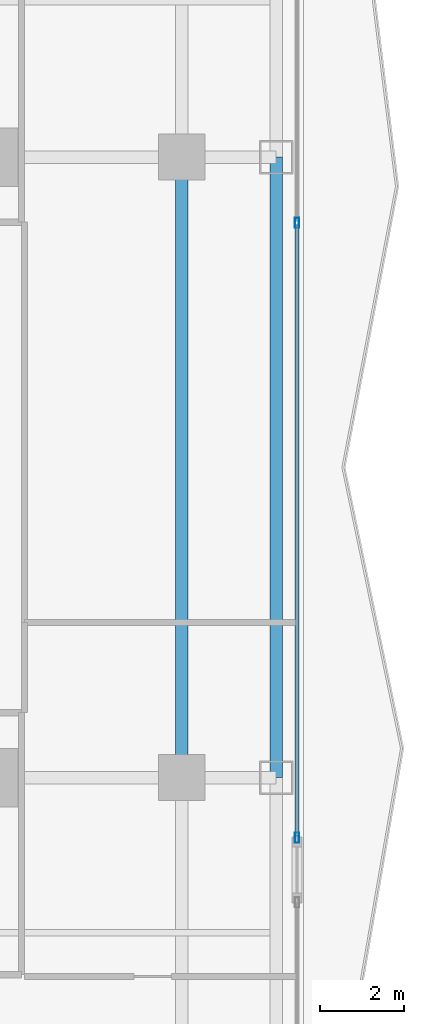
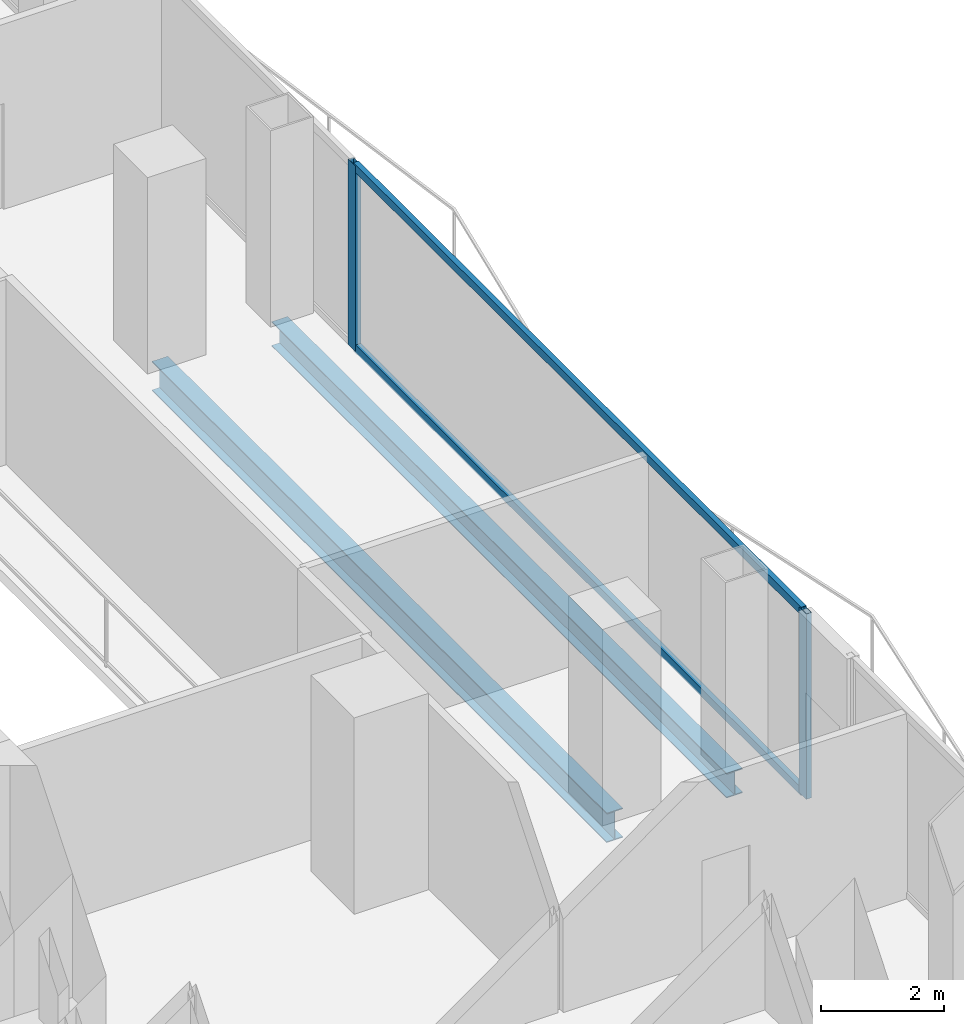
# One storey, part 12 of 29: 4 members, 2 beams, 1 element without a shape of its own.
"""IFC4 building model written with IfcOpenShell, lengths in metres."""

import ifcopenshell
import ifcopenshell.guid

model = None  # the IFC model being written
_history = None  # IfcOwnerHistory: only IFC2X3 demands one
_inside = {}  # id of a spatial element -> (the spatial element, [elements in it])
_under = {}  # id of a project, library or spatial element -> (it, [spatial elements below it])
_declared = {}  # id of a project -> (the project, [libraries it declares])
_typed = {}  # id of a type object -> (the type object, [elements of that type])
_made_of = {}  # id of a material, layer set ... -> (it, [elements and type objects made of it])


def new_model(schema):
    """Start an empty IFC model of exactly this schema.

    Asked for "IFC4X3", IfcOpenShell would pick the latest addendum, in which some entities
    have other attributes; the version numbers below select the first issue.
    IFC2X3 requires an IfcOwnerHistory on every rooted entity: one is made here for all.
    """
    global model, _history
    if schema == "IFC4X3":
        model = ifcopenshell.file(schema_version=(4, 3, 0, 0))
    else:
        model = ifcopenshell.file(schema=schema)
    _inside.clear()
    _under.clear()
    _declared.clear()
    _typed.clear()
    _made_of.clear()
    _history = None
    if model.schema == "IFC2X3":
        org = make("IfcOrganization", Name="unknown")
        user = make(
            "IfcPersonAndOrganization",
            ThePerson=make("IfcPerson", FamilyName="unknown"),
            TheOrganization=org,
        )
        app = make(
            "IfcApplication",
            ApplicationDeveloper=org,
            Version="unknown",
            ApplicationFullName="unknown",
            ApplicationIdentifier="unknown",
        )
        _history = make(
            "IfcOwnerHistory",
            OwningUser=user,
            OwningApplication=app,
            ChangeAction="ADDED",
            CreationDate=0,
        )
    return model


def make(cls, **values):
    """One entity of the class cls with the attributes given. An attribute that is None is left unset."""
    return model.create_entity(
        cls, **{name: value for name, value in values.items() if value is not None}
    )


def rooted(cls, **values):
    """An entity with a GlobalId (a new one), such as an element, a storey or a relation."""
    return make(cls, GlobalId=ifcopenshell.guid.new(), OwnerHistory=_history, **values)


def si_unit(unit_type, name, prefix=None):
    """IfcSIUnit, for example si_unit("LENGTHUNIT", "METRE", prefix="MILLI")."""
    return make("IfcSIUnit", UnitType=unit_type, Prefix=prefix, Name=name)


def assignment(units):
    """IfcUnitAssignment: the units of a project."""
    return None if units is None else make("IfcUnitAssignment", Units=units)


def point(xyz):
    """IfcCartesianPoint."""
    return None if xyz is None else make("IfcCartesianPoint", Coordinates=xyz)


def direction(xyz):
    """IfcDirection."""
    return None if xyz is None else make("IfcDirection", DirectionRatios=xyz)


def frame(location, z_axis=None, x_axis=None):
    """IfcAxis2Placement3D, a coordinate frame: its origin and axes. An axis left out is left unset."""
    return make(
        "IfcAxis2Placement3D",
        Location=point(location),
        Axis=direction(z_axis),
        RefDirection=direction(x_axis),
    )


def frame_2d(location, x_axis=None):
    """IfcAxis2Placement2D, a coordinate frame in the plane: its origin and x axis."""
    return make(
        "IfcAxis2Placement2D", Location=point(location), RefDirection=direction(x_axis)
    )


def origin():
    """The frame at (0, 0, 0) with its axes left unset."""
    return frame((0.0, 0.0, 0.0))


def origin_2d():
    """The frame at (0, 0) in the plane with its x axis left unset."""
    return frame_2d((0.0, 0.0))


def place(relative_to, where):
    """IfcLocalPlacement: puts the frame where relative to a parent placement (None: the world)."""
    return make(
        "IfcLocalPlacement", PlacementRelTo=relative_to, RelativePlacement=where
    )


def context(
    kind, dimensions, precision=None, world=None, true_north=None, identifier=None
):
    """IfcGeometricRepresentationContext, for example the 3D "Model" context."""
    return make(
        "IfcGeometricRepresentationContext",
        ContextIdentifier=identifier,
        ContextType=kind,
        CoordinateSpaceDimension=dimensions,
        Precision=precision,
        WorldCoordinateSystem=world,
        TrueNorth=true_north,
    )


def subcontext(parent, identifier, kind, view, scale=None):
    """IfcGeometricRepresentationSubContext, for example "Body" below "Model"."""
    return make(
        "IfcGeometricRepresentationSubContext",
        ContextIdentifier=identifier,
        ContextType=kind,
        ParentContext=parent,
        TargetScale=scale,
        TargetView=view,
    )


def project(units=None, contexts=None):
    """IfcProject with its units and contexts."""
    return rooted(
        "IfcProject",
        Name="project",
        RepresentationContexts=contexts,
        UnitsInContext=assignment(units),
    )


def spatial(cls, under=None, at=None, **own):
    """A site, building, storey or space (cls), placed at a placement, below another one or the project."""
    s = rooted(cls, ObjectPlacement=at, **own)
    if under is not None:
        _under.setdefault(under.id(), (under, []))[1].append(s)
    return s


def profile(cls, at=None, kind="AREA", **sizes):
    """A parametric profile (cls). Its sizes go by their IFC names, for example OverallWidth=200.0."""
    return make(cls, ProfileType=kind, Position=at, **sizes)


def hollow_rectangle(**sizes):
    """IfcRectangleHollowProfileDef."""
    return profile("IfcRectangleHollowProfileDef", **sizes)


def i_section(**sizes):
    """IfcIShapeProfileDef."""
    return profile("IfcIShapeProfileDef", **sizes)


def extrude(swept, where, along, depth):
    """IfcExtrudedAreaSolid: the profile swept, set in the frame where, extruded along a direction by depth."""
    return make(
        "IfcExtrudedAreaSolid",
        SweptArea=swept,
        Position=where,
        ExtrudedDirection=direction(along),
        Depth=depth,
    )


def shape(context_of_items, identifier, shape_type, items):
    """IfcShapeRepresentation: the items that make up one representation, for example the "Body"."""
    return make(
        "IfcShapeRepresentation",
        ContextOfItems=context_of_items,
        RepresentationIdentifier=identifier,
        RepresentationType=shape_type,
        Items=items,
    )


def material(Name=None, Category=None):
    """IfcMaterial."""
    return make("IfcMaterial", Name=Name, Category=Category)


def layer(
    of_material, thickness, ventilated=None, Name=None, Category=None, Priority=None
):
    """IfcMaterialLayer: one layer of a wall or slab, of a material (None: an air gap)."""
    return make(
        "IfcMaterialLayer",
        Material=of_material,
        LayerThickness=thickness,
        IsVentilated=ventilated,
        Name=Name,
        Category=Category,
        Priority=Priority,
    )


def layer_set(layers, Name=None):
    """IfcMaterialLayerSet."""
    return make("IfcMaterialLayerSet", MaterialLayers=layers, LayerSetName=Name)


def material_profile(
    of_material, cross_section, Name=None, Category=None, Priority=None
):
    """IfcMaterialProfile: a cross section and its material."""
    return make(
        "IfcMaterialProfile",
        Name=Name,
        Material=of_material,
        Profile=cross_section,
        Priority=Priority,
        Category=Category,
    )


def profile_set(profiles, Name=None, composite=None):
    """IfcMaterialProfileSet."""
    return make(
        "IfcMaterialProfileSet",
        Name=Name,
        MaterialProfiles=profiles,
        CompositeProfile=composite,
    )


def made_of(thing, what):
    """Note that an element or type object is made of a material, layer set ...; save() writes the relation."""
    if what is not None:
        _made_of.setdefault(what.id(), (what, []))[1].append(thing)
    return thing


def type_object(cls, material=None, **own):
    """A type object (cls), such as IfcWallType, which elements share."""
    return made_of(rooted(cls, **own), material)


def element(
    cls,
    number,
    at=None,
    inside=None,
    cuts=None,
    type_object=None,
    material=None,
    context=None,
    identifier="Body",
    shape_type=None,
    held_by="IfcProductDefinitionShape",
    body=None,
    shapes=None,
    **own,
):
    """One element of the class cls, such as IfcWall. Its Tag is "e" and its number.

    at: its placement. inside: the storey or other place that contains it. cuts: it is an
    opening in that element (IfcRelVoidsElement). A single representation is given by context,
    identifier, shape_type and body (its items); several are given by shapes. held_by: the class
    of the entity that holds the representations. save() writes the other relations.
    """
    e = rooted(cls, Tag="e%d" % number, ObjectPlacement=at, **own)
    if body is not None:
        shapes = [shape(context, identifier, shape_type, body)]
    if shapes is not None:
        e.Representation = make(held_by, Representations=shapes)
    if inside is not None:
        _inside.setdefault(inside.id(), (inside, []))[1].append(e)
    if cuts is not None:
        rooted(
            "IfcRelVoidsElement", RelatingBuildingElement=cuts, RelatedOpeningElement=e
        )
    if type_object is not None:
        _typed.setdefault(type_object.id(), (type_object, []))[1].append(e)
    return made_of(e, material)


def aggregate(whole, parts):
    """IfcRelAggregates: a whole, such as a stair, and the parts it consists of."""
    return rooted("IfcRelAggregates", RelatingObject=whole, RelatedObjects=parts)


def save(model, path):
    """Write the relations noted so far, then the file.

    IfcRelAggregates (storeys below a building ...), IfcRelContainedInSpatialStructure (elements
    in a storey), IfcRelDefinesByType, IfcRelAssociatesMaterial and IfcRelDeclares: one each for
    every whole, place, type object, material and project.
    """
    for whole, parts in _under.values():
        aggregate(whole, parts)
    for where, things in _inside.values():
        rooted(
            "IfcRelContainedInSpatialStructure",
            RelatedElements=things,
            RelatingStructure=where,
        )
    for kind, things in _typed.values():
        rooted("IfcRelDefinesByType", RelatedObjects=things, RelatingType=kind)
    for what, things in _made_of.values():
        rooted("IfcRelAssociatesMaterial", RelatedObjects=things, RelatingMaterial=what)
    for by, libraries in _declared.values():
        rooted("IfcRelDeclares", RelatingContext=by, RelatedDefinitions=libraries)
    model.write(path)


model = new_model("IFC4")

# Units and contexts
model_context = context("Model", 3, precision=1e-05, world=origin(), true_north=direction((0.0, 1.0)))
body_context = subcontext(model_context, "Body", "Model", "MODEL_VIEW")
ifc_project = project(units=[si_unit("LENGTHUNIT", "METRE"), si_unit("AREAUNIT", "SQUARE_METRE"), si_unit("VOLUMEUNIT", "CUBIC_METRE"), si_unit("PLANEANGLEUNIT", "RADIAN"), si_unit("MASSUNIT", "GRAM", prefix="KILO")], contexts=[model_context])

# Site, building, storey
site_placement = place(None, origin())
site = spatial("IfcSite", under=ifc_project, at=site_placement, CompositionType="ELEMENT")
building_placement = place(site_placement, origin())
building = spatial("IfcBuilding", under=site, at=building_placement, Name="Khorvyn Point Tower", CompositionType="ELEMENT")
storey_placement = place(building_placement, frame((0.0, 0.0, 61.800048828125)))
storey = spatial("IfcBuildingStorey", under=building, at=storey_placement, Name="L16", CompositionType="ELEMENT", Elevation=61.800048828125)

# Curtain wall, members
ifc_material_1 = material(Name="Anodised aluminium 6063-T6 and laminated Low-E glass", Category="aluminium")
ifc_layer = layer(ifc_material_1, 0.18994140625)
ifc_layer_set = layer_set([ifc_layer], Name="Stick-Built Finned Residential Curtain Wall CW-SYS-02")
curtain_wall_type = type_object("IfcCurtainWallType", Name="Stick-Built Finned Residential Curtain Wall CW-SYS-02", PredefinedType="NOTDEFINED", material=ifc_layer_set)
curtain_wall_placement = place(storey_placement, origin())
curtain_wall = element("IfcCurtainWall", 1, at=curtain_wall_placement, inside=storey, type_object=curtain_wall_type, Name="Curtain Wall", PredefinedType="NOTDEFINED")
ifc_material_2 = material(Name="Anodised aluminium 6063-T6", Category="aluminium")
ifc_material_profile_1 = material_profile(ifc_material_2, hollow_rectangle(XDim=0.10009765625, YDim=0.239990234375, WallThickness=0.0048828125, at=origin_2d()))
ifc_profile_set_1 = profile_set([ifc_material_profile_1], Name="Anodised aluminium 6063-T6 ALU-MUL-100x240")
member_type_1 = type_object("IfcMemberType", Name="Anodised Aluminium 6063-T6 Mullion ALU-MUL-100x240", PredefinedType="MULLION", material=ifc_profile_set_1)
member_1_placement = place(storey_placement, frame((22.14990234375, 5.83251953125, 0.0), z_axis=(0.0, 0.0, 1.0), x_axis=(1.0, 0.0, 0.0)))
member_1 = element("IfcMember", 2, at=member_1_placement, type_object=member_type_1, Name="Transom", PredefinedType="MULLION", context=body_context, shape_type="SweptSolid", body=[
    extrude(hollow_rectangle(XDim=0.10009765625, YDim=0.239990234375, WallThickness=0.0048828125, at=origin_2d()), origin(), (0.0, 0.0, 1.0), 3.679931640625),
])
member_2_placement = place(storey_placement, frame((22.14990234375, -8.8349609375, 0.0), z_axis=(0.0, 0.0, 1.0), x_axis=(1.0, 0.0, 0.0)))
member_2 = element("IfcMember", 3, at=member_2_placement, type_object=member_type_1, Name="Transom", PredefinedType="MULLION", context=body_context, shape_type="SweptSolid", body=[
    extrude(hollow_rectangle(XDim=0.10009765625, YDim=0.239990234375, WallThickness=0.0048828125, at=origin_2d()), origin(), (0.0, 0.0, 1.0), 3.679931640625),
])
ifc_material_profile_2 = material_profile(ifc_material_2, hollow_rectangle(XDim=0.10009765625, YDim=0.159912109375, WallThickness=0.00439453125, at=origin_2d()))
ifc_profile_set_2 = profile_set([ifc_material_profile_2], Name="Anodised aluminium 6063-T6 ALU-TRN-100x160")
member_type_2 = type_object("IfcMemberType", Name="Anodised Aluminium 6063-T6 Transom ALU-TRN-100x160", PredefinedType="USERDEFINED", material=ifc_profile_set_2)
member_3_placement = place(storey_placement, frame((22.14990234375, 5.782470703125, 0.050048828125), z_axis=(0.0, -1.0, 0.0), x_axis=(1.0, 0.0, 0.0)))
member_3 = element("IfcMember", 4, at=member_3_placement, type_object=member_type_2, Name="Transom", ObjectType="TRANSOM", PredefinedType="USERDEFINED", context=body_context, shape_type="SweptSolid", body=[
    extrude(hollow_rectangle(XDim=0.10009765625, YDim=0.159912109375, WallThickness=0.00439453125, at=origin_2d()), origin(), (0.0, 0.0, 1.0), 14.5673828125),
])
member_4_placement = place(storey_placement, frame((22.14990234375, 5.782470703125, 3.6298828125), z_axis=(0.0, -1.0, 0.0), x_axis=(1.0, 0.0, 0.0)))
member_4 = element("IfcMember", 5, at=member_4_placement, type_object=member_type_2, Name="Transom", ObjectType="TRANSOM", PredefinedType="USERDEFINED", context=body_context, shape_type="SweptSolid", body=[
    extrude(hollow_rectangle(XDim=0.10009765625, YDim=0.159912109375, WallThickness=0.00439453125, at=origin_2d()), origin(), (0.0, 0.0, 1.0), 14.5673828125),
])
aggregate(curtain_wall, [member_1, member_2, member_3, member_4])

# Beams
ifc_material_3 = material(Name="Steel S355", Category="steel")
ifc_material_profile_3 = material_profile(ifc_material_3, i_section(OverallWidth=0.300048828125, OverallDepth=0.587890625, WebThickness=0.011962890625, FlangeThickness=0.02001953125, at=origin_2d()))
ifc_profile_set_3 = profile_set([ifc_material_profile_3], Name="Steel S355 H588x300x12x20")
beam_type_1 = type_object("IfcBeamType", Name="Steel S355 Beam H588x300x12x20", PredefinedType="BEAM", material=ifc_profile_set_3)
beam_1_placement = place(storey_placement, frame((19.39990234375, -7.39990234375, -0.51416015625), z_axis=(0.0, 1.0, 0.0), x_axis=(-1.0, 0.0, 0.0)))
element("IfcBeam", 6, at=beam_1_placement, inside=storey, type_object=beam_type_1, Name="Beam", PredefinedType="BEAM", context=body_context, shape_type="SweptSolid", body=[
    extrude(i_section(OverallWidth=0.300048828125, OverallDepth=0.587890625, WebThickness=0.011962890625, FlangeThickness=0.02001953125, at=origin_2d()), origin(), (0.0, 0.0, 1.0), 14.7998046875),
])
ifc_material_profile_4 = material_profile(ifc_material_3, i_section(OverallWidth=0.300048828125, OverallDepth=0.488037109375, WebThickness=0.010986328125, FlangeThickness=0.01806640625, at=origin_2d()))
ifc_profile_set_4 = profile_set([ifc_material_profile_4], Name="Steel S355 H488x300x11x18")
beam_type_2 = type_object("IfcBeamType", Name="Steel S355 Spandrel H488x300x11x18", PredefinedType="SPANDREL", material=ifc_profile_set_4)
beam_2_placement = place(storey_placement, frame((21.64990234375, -7.39990234375, -0.464111328125), z_axis=(0.0, 1.0, 0.0), x_axis=(-1.0, 0.0, 0.0)))
element("IfcBeam", 7, at=beam_2_placement, inside=storey, type_object=beam_type_2, Name="Beam", PredefinedType="SPANDREL", context=body_context, shape_type="SweptSolid", body=[
    extrude(i_section(OverallWidth=0.300048828125, OverallDepth=0.488037109375, WebThickness=0.010986328125, FlangeThickness=0.01806640625, at=origin_2d()), origin(), (0.0, 0.0, 1.0), 14.7998046875),
])

save(model, "model.ifc")
